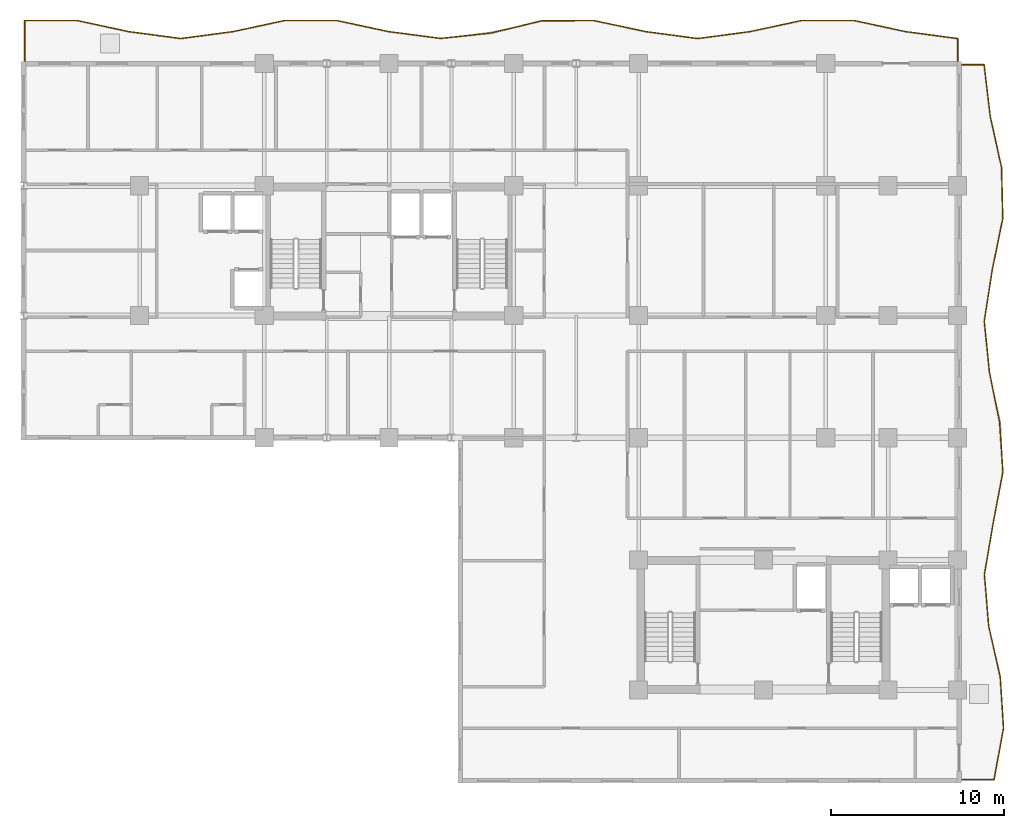
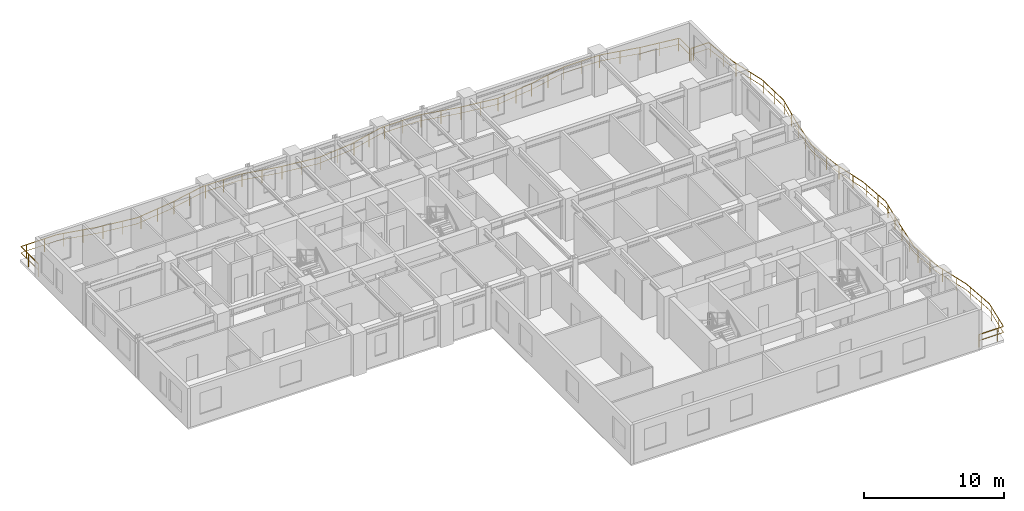
# One storey, part 12 of 12: 2 railings.
"""IFC4 building model written with IfcOpenShell, lengths in metres."""

import ifcopenshell
import ifcopenshell.guid

model = None  # the IFC model being written
_history = None  # IfcOwnerHistory: only IFC2X3 demands one
_inside = {}  # id of a spatial element -> (the spatial element, [elements in it])
_under = {}  # id of a project, library or spatial element -> (it, [spatial elements below it])
_declared = {}  # id of a project -> (the project, [libraries it declares])
_typed = {}  # id of a type object -> (the type object, [elements of that type])
_made_of = {}  # id of a material, layer set ... -> (it, [elements and type objects made of it])


def new_model(schema):
    """Start an empty IFC model of exactly this schema.

    Asked for "IFC4X3", IfcOpenShell would pick the latest addendum, in which some entities
    have other attributes; the version numbers below select the first issue.
    IFC2X3 requires an IfcOwnerHistory on every rooted entity: one is made here for all.
    """
    global model, _history
    if schema == "IFC4X3":
        model = ifcopenshell.file(schema_version=(4, 3, 0, 0))
    else:
        model = ifcopenshell.file(schema=schema)
    _inside.clear()
    _under.clear()
    _declared.clear()
    _typed.clear()
    _made_of.clear()
    _history = None
    if model.schema == "IFC2X3":
        org = make("IfcOrganization", Name="unknown")
        user = make(
            "IfcPersonAndOrganization",
            ThePerson=make("IfcPerson", FamilyName="unknown"),
            TheOrganization=org,
        )
        app = make(
            "IfcApplication",
            ApplicationDeveloper=org,
            Version="unknown",
            ApplicationFullName="unknown",
            ApplicationIdentifier="unknown",
        )
        _history = make(
            "IfcOwnerHistory",
            OwningUser=user,
            OwningApplication=app,
            ChangeAction="ADDED",
            CreationDate=0,
        )
    return model


def make(cls, **values):
    """One entity of the class cls with the attributes given. An attribute that is None is left unset."""
    return model.create_entity(
        cls, **{name: value for name, value in values.items() if value is not None}
    )


def rooted(cls, **values):
    """An entity with a GlobalId (a new one), such as an element, a storey or a relation."""
    return make(cls, GlobalId=ifcopenshell.guid.new(), OwnerHistory=_history, **values)


def si_unit(unit_type, name, prefix=None):
    """IfcSIUnit, for example si_unit("LENGTHUNIT", "METRE", prefix="MILLI")."""
    return make("IfcSIUnit", UnitType=unit_type, Prefix=prefix, Name=name)


def assignment(units):
    """IfcUnitAssignment: the units of a project."""
    return None if units is None else make("IfcUnitAssignment", Units=units)


def point(xyz):
    """IfcCartesianPoint."""
    return None if xyz is None else make("IfcCartesianPoint", Coordinates=xyz)


def direction(xyz):
    """IfcDirection."""
    return None if xyz is None else make("IfcDirection", DirectionRatios=xyz)


def frame(location, z_axis=None, x_axis=None):
    """IfcAxis2Placement3D, a coordinate frame: its origin and axes. An axis left out is left unset."""
    return make(
        "IfcAxis2Placement3D",
        Location=point(location),
        Axis=direction(z_axis),
        RefDirection=direction(x_axis),
    )


def frame_2d(location, x_axis=None):
    """IfcAxis2Placement2D, a coordinate frame in the plane: its origin and x axis."""
    return make(
        "IfcAxis2Placement2D", Location=point(location), RefDirection=direction(x_axis)
    )


def origin():
    """The frame at (0, 0, 0) with its axes left unset."""
    return frame((0.0, 0.0, 0.0))


def origin_2d():
    """The frame at (0, 0) in the plane with its x axis left unset."""
    return frame_2d((0.0, 0.0))


def place(relative_to, where):
    """IfcLocalPlacement: puts the frame where relative to a parent placement (None: the world)."""
    return make(
        "IfcLocalPlacement", PlacementRelTo=relative_to, RelativePlacement=where
    )


def context(
    kind, dimensions, precision=None, world=None, true_north=None, identifier=None
):
    """IfcGeometricRepresentationContext, for example the 3D "Model" context."""
    return make(
        "IfcGeometricRepresentationContext",
        ContextIdentifier=identifier,
        ContextType=kind,
        CoordinateSpaceDimension=dimensions,
        Precision=precision,
        WorldCoordinateSystem=world,
        TrueNorth=true_north,
    )


def subcontext(parent, identifier, kind, view, scale=None):
    """IfcGeometricRepresentationSubContext, for example "Body" below "Model"."""
    return make(
        "IfcGeometricRepresentationSubContext",
        ContextIdentifier=identifier,
        ContextType=kind,
        ParentContext=parent,
        TargetScale=scale,
        TargetView=view,
    )


def project(units=None, contexts=None):
    """IfcProject with its units and contexts."""
    return rooted(
        "IfcProject",
        Name="project",
        RepresentationContexts=contexts,
        UnitsInContext=assignment(units),
    )


def spatial(cls, under=None, at=None, **own):
    """A site, building, storey or space (cls), placed at a placement, below another one or the project."""
    s = rooted(cls, ObjectPlacement=at, **own)
    if under is not None:
        _under.setdefault(under.id(), (under, []))[1].append(s)
    return s


def profile(cls, at=None, kind="AREA", **sizes):
    """A parametric profile (cls). Its sizes go by their IFC names, for example OverallWidth=200.0."""
    return make(cls, ProfileType=kind, Position=at, **sizes)


def rectangle(**sizes):
    """IfcRectangleProfileDef."""
    return profile("IfcRectangleProfileDef", **sizes)


def extrude(swept, where, along, depth):
    """IfcExtrudedAreaSolid: the profile swept, set in the frame where, extruded along a direction by depth."""
    return make(
        "IfcExtrudedAreaSolid",
        SweptArea=swept,
        Position=where,
        ExtrudedDirection=direction(along),
        Depth=depth,
    )


def shape(context_of_items, identifier, shape_type, items):
    """IfcShapeRepresentation: the items that make up one representation, for example the "Body"."""
    return make(
        "IfcShapeRepresentation",
        ContextOfItems=context_of_items,
        RepresentationIdentifier=identifier,
        RepresentationType=shape_type,
        Items=items,
    )


def material(Name=None, Category=None):
    """IfcMaterial."""
    return make("IfcMaterial", Name=Name, Category=Category)


def made_of(thing, what):
    """Note that an element or type object is made of a material, layer set ...; save() writes the relation."""
    if what is not None:
        _made_of.setdefault(what.id(), (what, []))[1].append(thing)
    return thing


def type_object(cls, material=None, **own):
    """A type object (cls), such as IfcWallType, which elements share."""
    return made_of(rooted(cls, **own), material)


def element(
    cls,
    number,
    at=None,
    inside=None,
    cuts=None,
    type_object=None,
    material=None,
    context=None,
    identifier="Body",
    shape_type=None,
    held_by="IfcProductDefinitionShape",
    body=None,
    shapes=None,
    **own,
):
    """One element of the class cls, such as IfcWall. Its Tag is "e" and its number.

    at: its placement. inside: the storey or other place that contains it. cuts: it is an
    opening in that element (IfcRelVoidsElement). A single representation is given by context,
    identifier, shape_type and body (its items); several are given by shapes. held_by: the class
    of the entity that holds the representations. save() writes the other relations.
    """
    e = rooted(cls, Tag="e%d" % number, ObjectPlacement=at, **own)
    if body is not None:
        shapes = [shape(context, identifier, shape_type, body)]
    if shapes is not None:
        e.Representation = make(held_by, Representations=shapes)
    if inside is not None:
        _inside.setdefault(inside.id(), (inside, []))[1].append(e)
    if cuts is not None:
        rooted(
            "IfcRelVoidsElement", RelatingBuildingElement=cuts, RelatedOpeningElement=e
        )
    if type_object is not None:
        _typed.setdefault(type_object.id(), (type_object, []))[1].append(e)
    return made_of(e, material)


def aggregate(whole, parts):
    """IfcRelAggregates: a whole, such as a stair, and the parts it consists of."""
    return rooted("IfcRelAggregates", RelatingObject=whole, RelatedObjects=parts)


def save(model, path):
    """Write the relations noted so far, then the file.

    IfcRelAggregates (storeys below a building ...), IfcRelContainedInSpatialStructure (elements
    in a storey), IfcRelDefinesByType, IfcRelAssociatesMaterial and IfcRelDeclares: one each for
    every whole, place, type object, material and project.
    """
    for whole, parts in _under.values():
        aggregate(whole, parts)
    for where, things in _inside.values():
        rooted(
            "IfcRelContainedInSpatialStructure",
            RelatedElements=things,
            RelatingStructure=where,
        )
    for kind, things in _typed.values():
        rooted("IfcRelDefinesByType", RelatedObjects=things, RelatingType=kind)
    for what, things in _made_of.values():
        rooted("IfcRelAssociatesMaterial", RelatedObjects=things, RelatingMaterial=what)
    for by, libraries in _declared.values():
        rooted("IfcRelDeclares", RelatingContext=by, RelatedDefinitions=libraries)
    model.write(path)


model = new_model("IFC4")

# Units and contexts
model_context = context("Model", 3, precision=1e-05, world=origin(), true_north=direction((0.0, 1.0)))
body_context = subcontext(model_context, "Body", "Model", "MODEL_VIEW")
ifc_project = project(units=[si_unit("LENGTHUNIT", "METRE"), si_unit("AREAUNIT", "SQUARE_METRE"), si_unit("VOLUMEUNIT", "CUBIC_METRE"), si_unit("PLANEANGLEUNIT", "RADIAN"), si_unit("MASSUNIT", "GRAM", prefix="KILO")], contexts=[model_context])

# Site, building, storey
site_placement = place(None, origin())
site = spatial("IfcSite", under=ifc_project, at=site_placement, CompositionType="ELEMENT")
building_placement = place(site_placement, origin())
building = spatial("IfcBuilding", under=site, at=building_placement, Name="Kaliganga Portal Commons", CompositionType="ELEMENT")
storey_placement = place(building_placement, frame((0.0, 0.0, 147.60009765625)))
storey = spatial("IfcBuildingStorey", under=building, at=storey_placement, Name="L37", CompositionType="ELEMENT", Elevation=147.60009765625)

# Railings
ifc_material = material(Name="Laminated Safety Glass and Stainless Steel 316", Category="steel")
railing_type = type_object("IfcRailingType", Name="RLG-BAL-1150", PredefinedType="BALUSTRADE", material=ifc_material)
railing_1_placement = place(storey_placement, frame((54.420166015625, 43.205322265625, 0.0)))
element("IfcRailing", 1, at=railing_1_placement, inside=storey, type_object=railing_type, Name="Balcony Guardrail L37 balc_north", PredefinedType="BALUSTRADE", context=body_context, shape_type="SweptSolid", body=[
    extrude(rectangle(XDim=0.048095703125, YDim=0.048095703125, at=origin_2d()), frame((0.0, 0.0, 1.1259765625), z_axis=(-0.000169692853, 0.999999985602, 0.0), x_axis=(-0.999999985602, -0.000169692853, 0.0)), (0.0, 0.0, 1.0), 1.438720703125),
    extrude(rectangle(XDim=0.028076171875, YDim=0.028076171875, at=origin_2d()), frame((0.0, 0.0, 0.597900390625), z_axis=(-0.000169692853, 0.999999985602, 0.0), x_axis=(-0.999999985602, -0.000169692853, 0.0)), (0.0, 0.0, 1.0), 1.438720703125),
    extrude(rectangle(XDim=0.048095703125, YDim=0.048095703125, at=origin_2d()), frame((-0.000244140625, 1.438720703125, 1.1259765625), z_axis=(-0.99128487682, 0.131735693672, 0.0), x_axis=(-0.131735693672, -0.99128487682, 0.0)), (0.0, 0.0, 1.0), 3.0263671875),
    extrude(rectangle(XDim=0.028076171875, YDim=0.028076171875, at=origin_2d()), frame((-0.000244140625, 1.438720703125, 0.597900390625), z_axis=(-0.99128487682, 0.131735693672, 0.0), x_axis=(-0.131735693672, -0.99128487682, 0.0)), (0.0, 0.0, 1.0), 3.0263671875),
    extrude(rectangle(XDim=0.048095703125, YDim=0.048095703125, at=origin_2d()), frame((-3.000244140625, 1.83740234375, 1.1259765625), z_axis=(-0.977706833375, 0.209974636497, 0.0), x_axis=(-0.209974636497, -0.977706833375, 0.0)), (0.0, 0.0, 1.0), 3.068359375),
    extrude(rectangle(XDim=0.028076171875, YDim=0.028076171875, at=origin_2d()), frame((-3.000244140625, 1.83740234375, 0.597900390625), z_axis=(-0.977706833375, 0.209974636497, 0.0), x_axis=(-0.209974636497, -0.977706833375, 0.0)), (0.0, 0.0, 1.0), 3.068359375),
    extrude(rectangle(XDim=0.048095703125, YDim=0.048095703125, at=origin_2d()), frame((-6.000244140625, 2.481689453125, 1.1259765625), z_axis=(-0.999999986752, -0.000162773661, 0.0), x_axis=(0.000162773661, -0.999999986752, 0.0)), (0.0, 0.0, 1.0), 2.999755859375),
    extrude(rectangle(XDim=0.028076171875, YDim=0.028076171875, at=origin_2d()), frame((-6.000244140625, 2.481689453125, 0.597900390625), z_axis=(-0.999999986752, -0.000162773661, 0.0), x_axis=(0.000162773661, -0.999999986752, 0.0)), (0.0, 0.0, 1.0), 2.999755859375),
    extrude(rectangle(XDim=0.048095703125, YDim=0.048095703125, at=origin_2d()), frame((-9.0, 2.481201171875, 1.1259765625), z_axis=(-0.977742994053, -0.209806190521, 0.0), x_axis=(0.209806190521, -0.977742994053, 0.0)), (0.0, 0.0, 1.0), 3.068603515625),
    extrude(rectangle(XDim=0.028076171875, YDim=0.028076171875, at=origin_2d()), frame((-9.0, 2.481201171875, 0.597900390625), z_axis=(-0.977742994053, -0.209806190521, 0.0), x_axis=(0.209806190521, -0.977742994053, 0.0)), (0.0, 0.0, 1.0), 3.068603515625),
    extrude(rectangle(XDim=0.048095703125, YDim=0.048095703125, at=origin_2d()), frame((-12.000244140625, 1.83740234375, 1.1259765625), z_axis=(-0.991347974495, -0.131260022339, 0.0), x_axis=(0.131260022339, -0.991347974495, 0.0)), (0.0, 0.0, 1.0), 3.026123046875),
    extrude(rectangle(XDim=0.028076171875, YDim=0.028076171875, at=origin_2d()), frame((-12.000244140625, 1.83740234375, 0.597900390625), z_axis=(-0.991347974495, -0.131260022339, 0.0), x_axis=(0.131260022339, -0.991347974495, 0.0)), (0.0, 0.0, 1.0), 3.026123046875),
    extrude(rectangle(XDim=0.048095703125, YDim=0.048095703125, at=origin_2d()), frame((-15.000244140625, 1.440185546875, 1.1259765625), z_axis=(-0.991347974495, 0.131260022339, 0.0), x_axis=(-0.131260022339, -0.991347974495, 0.0)), (0.0, 0.0, 1.0), 3.026123046875),
    extrude(rectangle(XDim=0.028076171875, YDim=0.028076171875, at=origin_2d()), frame((-15.000244140625, 1.440185546875, 0.597900390625), z_axis=(-0.991347974495, 0.131260022339, 0.0), x_axis=(-0.131260022339, -0.991347974495, 0.0)), (0.0, 0.0, 1.0), 3.026123046875),
    extrude(rectangle(XDim=0.048095703125, YDim=0.048095703125, at=origin_2d()), frame((-18.000244140625, 1.83740234375, 1.1259765625), z_axis=(-0.978106618555, 0.208104403459, 0.0), x_axis=(-0.208104403459, -0.978106618555, 0.0)), (0.0, 0.0, 1.0), 3.066650390625),
    extrude(rectangle(XDim=0.028076171875, YDim=0.028076171875, at=origin_2d()), frame((-18.000244140625, 1.83740234375, 0.597900390625), z_axis=(-0.978106618555, 0.208104403459, 0.0), x_axis=(-0.208104403459, -0.978106618555, 0.0)), (0.0, 0.0, 1.0), 3.066650390625),
    extrude(rectangle(XDim=0.048095703125, YDim=0.048095703125, at=origin_2d()), frame((-20.999755859375, 2.4755859375, 1.1259765625), z_axis=(-0.999996168338, -0.002768268175, 0.0), x_axis=(0.002768268175, -0.999996168338, 0.0)), (0.0, 0.0, 1.0), 2.99853515625),
    extrude(rectangle(XDim=0.028076171875, YDim=0.028076171875, at=origin_2d()), frame((-20.999755859375, 2.4755859375, 0.597900390625), z_axis=(-0.999996168338, -0.002768268175, 0.0), x_axis=(0.002768268175, -0.999996168338, 0.0)), (0.0, 0.0, 1.0), 2.99853515625),
    extrude(rectangle(XDim=0.048095703125, YDim=0.048095703125, at=origin_2d()), frame((-23.998291015625, 2.46728515625, 1.1259765625), z_axis=(-0.971726032894, -0.236111238608, 0.0), x_axis=(0.236111238608, -0.971726032894, 0.0)), (0.0, 0.0, 1.0), 3.0068359375),
    extrude(rectangle(XDim=0.028076171875, YDim=0.028076171875, at=origin_2d()), frame((-23.998291015625, 2.46728515625, 0.597900390625), z_axis=(-0.971726032894, -0.236111238608, 0.0), x_axis=(0.236111238608, -0.971726032894, 0.0)), (0.0, 0.0, 1.0), 3.0068359375),
    extrude(rectangle(XDim=0.048095703125, YDim=0.048095703125, at=origin_2d()), frame((-26.920166015625, 1.75732421875, 1.1259765625), z_axis=(-0.994438293084, -0.105320849063, 0.0), x_axis=(0.105320849063, -0.994438293084, 0.0)), (0.0, 0.0, 1.0), 2.93701171875),
    extrude(rectangle(XDim=0.028076171875, YDim=0.028076171875, at=origin_2d()), frame((-26.920166015625, 1.75732421875, 0.597900390625), z_axis=(-0.994438293084, -0.105320849063, 0.0), x_axis=(0.105320849063, -0.994438293084, 0.0)), (0.0, 0.0, 1.0), 2.93701171875),
    extrude(rectangle(XDim=0.048095703125, YDim=0.048095703125, at=origin_2d()), frame((-29.8408203125, 1.447998046875, 1.1259765625), z_axis=(-0.991687062692, 0.128673111757, 0.0), x_axis=(-0.128673111757, -0.991687062692, 0.0)), (0.0, 0.0, 1.0), 3.0244140625),
    extrude(rectangle(XDim=0.028076171875, YDim=0.028076171875, at=origin_2d()), frame((-29.8408203125, 1.447998046875, 0.597900390625), z_axis=(-0.991687062692, 0.128673111757, 0.0), x_axis=(-0.128673111757, -0.991687062692, 0.0)), (0.0, 0.0, 1.0), 3.0244140625),
    extrude(rectangle(XDim=0.048095703125, YDim=0.048095703125, at=origin_2d()), frame((-32.840087890625, 1.837158203125, 1.1259765625), z_axis=(-0.977922201683, 0.208969297878, 0.0), x_axis=(-0.208969297878, -0.977922201683, 0.0)), (0.0, 0.0, 1.0), 3.06787109375),
    extrude(rectangle(XDim=0.028076171875, YDim=0.028076171875, at=origin_2d()), frame((-32.840087890625, 1.837158203125, 0.597900390625), z_axis=(-0.977922201683, 0.208969297878, 0.0), x_axis=(-0.208969297878, -0.977922201683, 0.0)), (0.0, 0.0, 1.0), 3.06787109375),
    extrude(rectangle(XDim=0.048095703125, YDim=0.048095703125, at=origin_2d()), frame((-35.84033203125, 2.478271484375, 1.1259765625), z_axis=(-0.999999837743, 0.000569661366, 0.0), x_axis=(-0.000569661366, -0.999999837743, 0.0)), (0.0, 0.0, 1.0), 3.0),
    extrude(rectangle(XDim=0.028076171875, YDim=0.028076171875, at=origin_2d()), frame((-35.84033203125, 2.478271484375, 0.597900390625), z_axis=(-0.999999837743, 0.000569661366, 0.0), x_axis=(-0.000569661366, -0.999999837743, 0.0)), (0.0, 0.0, 1.0), 3.0),
    extrude(rectangle(XDim=0.048095703125, YDim=0.048095703125, at=origin_2d()), frame((-38.84033203125, 2.47998046875, 1.1259765625), z_axis=(-0.977817551415, -0.209458435364, 0.0), x_axis=(0.209458435364, -0.977817551415, 0.0)), (0.0, 0.0, 1.0), 3.06787109375),
    extrude(rectangle(XDim=0.028076171875, YDim=0.028076171875, at=origin_2d()), frame((-38.84033203125, 2.47998046875, 0.597900390625), z_axis=(-0.977817551415, -0.209458435364, 0.0), x_axis=(0.209458435364, -0.977817551415, 0.0)), (0.0, 0.0, 1.0), 3.06787109375),
    extrude(rectangle(XDim=0.048095703125, YDim=0.048095703125, at=origin_2d()), frame((-41.840087890625, 1.83740234375, 1.1259765625), z_axis=(-0.991316453184, -0.13149786936, 0.0), x_axis=(0.13149786936, -0.991316453184, 0.0)), (0.0, 0.0, 1.0), 3.0263671875),
    extrude(rectangle(XDim=0.028076171875, YDim=0.028076171875, at=origin_2d()), frame((-41.840087890625, 1.83740234375, 0.597900390625), z_axis=(-0.991316453184, -0.13149786936, 0.0), x_axis=(0.13149786936, -0.991316453184, 0.0)), (0.0, 0.0, 1.0), 3.0263671875),
    extrude(rectangle(XDim=0.048095703125, YDim=0.048095703125, at=origin_2d()), frame((-44.840087890625, 1.439453125, 1.1259765625), z_axis=(-0.991316453184, 0.13149786936, 0.0), x_axis=(-0.13149786936, -0.991316453184, 0.0)), (0.0, 0.0, 1.0), 3.0263671875),
    extrude(rectangle(XDim=0.028076171875, YDim=0.028076171875, at=origin_2d()), frame((-44.840087890625, 1.439453125, 0.597900390625), z_axis=(-0.991316453184, 0.13149786936, 0.0), x_axis=(-0.13149786936, -0.991316453184, 0.0)), (0.0, 0.0, 1.0), 3.0263671875),
    extrude(rectangle(XDim=0.048095703125, YDim=0.048095703125, at=origin_2d()), frame((-47.840087890625, 1.83740234375, 1.1259765625), z_axis=(-0.977690496299, 0.210050692564, 0.0), x_axis=(-0.210050692564, -0.977690496299, 0.0)), (0.0, 0.0, 1.0), 3.068359375),
    extrude(rectangle(XDim=0.028076171875, YDim=0.028076171875, at=origin_2d()), frame((-47.840087890625, 1.83740234375, 0.597900390625), z_axis=(-0.977690496299, 0.210050692564, 0.0), x_axis=(-0.210050692564, -0.977690496299, 0.0)), (0.0, 0.0, 1.0), 3.068359375),
    extrude(rectangle(XDim=0.048095703125, YDim=0.048095703125, at=origin_2d()), frame((-50.840087890625, 2.48193359375, 1.1259765625), z_axis=(-0.999999996689, 8.1380208e-05, 0.0), x_axis=(-8.1380208e-05, -0.999999996689, 0.0)), (0.0, 0.0, 1.0), 3.0),
    extrude(rectangle(XDim=0.028076171875, YDim=0.028076171875, at=origin_2d()), frame((-50.840087890625, 2.48193359375, 0.597900390625), z_axis=(-0.999999996689, 8.1380208e-05, 0.0), x_axis=(-8.1380208e-05, -0.999999996689, 0.0)), (0.0, 0.0, 1.0), 3.0),
    extrude(rectangle(XDim=0.048095703125, YDim=0.048095703125, at=origin_2d()), frame((-53.840087890625, 2.482177734375, 1.1259765625), z_axis=(-9.835743e-05, -0.999999995163, 0.0), x_axis=(0.999999995163, -9.835743e-05, 0.0)), (0.0, 0.0, 1.0), 2.482177734375),
    extrude(rectangle(XDim=0.028076171875, YDim=0.028076171875, at=origin_2d()), frame((-53.840087890625, 2.482177734375, 0.597900390625), z_axis=(-9.835743e-05, -0.999999995163, 0.0), x_axis=(0.999999995163, -9.835743e-05, 0.0)), (0.0, 0.0, 1.0), 2.482177734375),
    extrude(rectangle(XDim=0.0419921875, YDim=0.0419921875, at=origin_2d()), origin(), (0.0, 0.0, 1.0), 1.101806640625),
    extrude(rectangle(XDim=0.0419921875, YDim=0.0419921875, at=origin_2d()), frame((-0.06103515625, 1.44677734375, 0.0)), (0.0, 0.0, 1.0), 1.101806640625),
    extrude(rectangle(XDim=0.0419921875, YDim=0.0419921875, at=origin_2d()), frame((-1.5478515625, 1.644287109375, 0.0)), (0.0, 0.0, 1.0), 1.101806640625),
    extrude(rectangle(XDim=0.0419921875, YDim=0.0419921875, at=origin_2d()), frame((-3.034423828125, 1.8447265625, 0.0)), (0.0, 0.0, 1.0), 1.101806640625),
    extrude(rectangle(XDim=0.0419921875, YDim=0.0419921875, at=origin_2d()), frame((-4.5009765625, 2.15966796875, 0.0)), (0.0, 0.0, 1.0), 1.101806640625),
    extrude(rectangle(XDim=0.0419921875, YDim=0.0419921875, at=origin_2d()), frame((-6.000244140625, 2.481689453125, 0.0)), (0.0, 0.0, 1.0), 1.101806640625),
    extrude(rectangle(XDim=0.0419921875, YDim=0.0419921875, at=origin_2d()), frame((-7.466796875, 2.4814453125, 0.0)), (0.0, 0.0, 1.0), 1.101806640625),
    extrude(rectangle(XDim=0.0419921875, YDim=0.0419921875, at=origin_2d()), frame((-9.0, 2.481201171875, 0.0)), (0.0, 0.0, 1.0), 1.101806640625),
    extrude(rectangle(XDim=0.0419921875, YDim=0.0419921875, at=origin_2d()), frame((-10.43408203125, 2.173583984375, 0.0)), (0.0, 0.0, 1.0), 1.101806640625),
    extrude(rectangle(XDim=0.0419921875, YDim=0.0419921875, at=origin_2d()), frame((-12.000244140625, 1.83740234375, 0.0)), (0.0, 0.0, 1.0), 1.101806640625),
    extrude(rectangle(XDim=0.0419921875, YDim=0.0419921875, at=origin_2d()), frame((-13.38623046875, 1.65380859375, 0.0)), (0.0, 0.0, 1.0), 1.101806640625),
    extrude(rectangle(XDim=0.0419921875, YDim=0.0419921875, at=origin_2d()), frame((-15.000244140625, 1.440185546875, 0.0)), (0.0, 0.0, 1.0), 1.101806640625),
    extrude(rectangle(XDim=0.0419921875, YDim=0.0419921875, at=origin_2d()), frame((-16.3603515625, 1.620361328125, 0.0)), (0.0, 0.0, 1.0), 1.101806640625),
    extrude(rectangle(XDim=0.0419921875, YDim=0.0419921875, at=origin_2d()), frame((-17.847412109375, 1.817138671875, 0.0)), (0.0, 0.0, 1.0), 1.101806640625),
    extrude(rectangle(XDim=0.0419921875, YDim=0.0419921875, at=origin_2d()), frame((-19.316650390625, 2.117431640625, 0.0)), (0.0, 0.0, 1.0), 1.101806640625),
    extrude(rectangle(XDim=0.0419921875, YDim=0.0419921875, at=origin_2d()), frame((-20.78369140625, 2.4296875, 0.0)), (0.0, 0.0, 1.0), 1.101806640625),
    extrude(rectangle(XDim=0.0419921875, YDim=0.0419921875, at=origin_2d()), frame((-22.279052734375, 2.471923828125, 0.0)), (0.0, 0.0, 1.0), 1.101806640625),
    extrude(rectangle(XDim=0.0419921875, YDim=0.0419921875, at=origin_2d()), frame((-23.779052734375, 2.4677734375, 0.0)), (0.0, 0.0, 1.0), 1.101806640625),
    extrude(rectangle(XDim=0.0419921875, YDim=0.0419921875, at=origin_2d()), frame((-25.24267578125, 2.164794921875, 0.0)), (0.0, 0.0, 1.0), 1.101806640625),
    extrude(rectangle(XDim=0.0419921875, YDim=0.0419921875, at=origin_2d()), frame((-26.7001953125, 1.810791015625, 0.0)), (0.0, 0.0, 1.0), 1.101806640625),
    extrude(rectangle(XDim=0.0419921875, YDim=0.0419921875, at=origin_2d()), frame((-28.186767578125, 1.623291015625, 0.0)), (0.0, 0.0, 1.0), 1.101806640625),
    extrude(rectangle(XDim=0.0419921875, YDim=0.0419921875, at=origin_2d()), frame((-29.678466796875, 1.465087890625, 0.0)), (0.0, 0.0, 1.0), 1.101806640625),
    extrude(rectangle(XDim=0.0419921875, YDim=0.0419921875, at=origin_2d()), frame((-31.16650390625, 1.6201171875, 0.0)), (0.0, 0.0, 1.0), 1.101806640625),
    extrude(rectangle(XDim=0.0419921875, YDim=0.0419921875, at=origin_2d()), frame((-32.654052734375, 1.81298828125, 0.0)), (0.0, 0.0, 1.0), 1.101806640625),
    extrude(rectangle(XDim=0.0419921875, YDim=0.0419921875, at=origin_2d()), frame((-34.12353515625, 2.111328125, 0.0)), (0.0, 0.0, 1.0), 1.101806640625),
    extrude(rectangle(XDim=0.0419921875, YDim=0.0419921875, at=origin_2d()), frame((-35.59033203125, 2.4248046875, 0.0)), (0.0, 0.0, 1.0), 1.101806640625),
    extrude(rectangle(XDim=0.0419921875, YDim=0.0419921875, at=origin_2d()), frame((-37.084716796875, 2.47900390625, 0.0)), (0.0, 0.0, 1.0), 1.101806640625),
    extrude(rectangle(XDim=0.0419921875, YDim=0.0419921875, at=origin_2d()), frame((-38.584716796875, 2.479736328125, 0.0)), (0.0, 0.0, 1.0), 1.101806640625),
    extrude(rectangle(XDim=0.0419921875, YDim=0.0419921875, at=origin_2d()), frame((-40.05712890625, 2.21923828125, 0.0)), (0.0, 0.0, 1.0), 1.101806640625),
    extrude(rectangle(XDim=0.0419921875, YDim=0.0419921875, at=origin_2d()), frame((-41.52392578125, 1.905029296875, 0.0)), (0.0, 0.0, 1.0), 1.101806640625),
    extrude(rectangle(XDim=0.0419921875, YDim=0.0419921875, at=origin_2d()), frame((-43.00634765625, 1.6826171875, 0.0)), (0.0, 0.0, 1.0), 1.101806640625),
    extrude(rectangle(XDim=0.0419921875, YDim=0.0419921875, at=origin_2d()), frame((-44.493408203125, 1.4853515625, 0.0)), (0.0, 0.0, 1.0), 1.101806640625),
    extrude(rectangle(XDim=0.0419921875, YDim=0.0419921875, at=origin_2d()), frame((-45.98046875, 1.5908203125, 0.0)), (0.0, 0.0, 1.0), 1.101806640625),
    extrude(rectangle(XDim=0.0419921875, YDim=0.0419921875, at=origin_2d()), frame((-47.46728515625, 1.787841796875, 0.0)), (0.0, 0.0, 1.0), 1.101806640625),
    extrude(rectangle(XDim=0.0419921875, YDim=0.0419921875, at=origin_2d()), frame((-48.93896484375, 2.073486328125, 0.0)), (0.0, 0.0, 1.0), 1.101806640625),
    extrude(rectangle(XDim=0.0419921875, YDim=0.0419921875, at=origin_2d()), frame((-50.405517578125, 2.388671875, 0.0)), (0.0, 0.0, 1.0), 1.101806640625),
    extrude(rectangle(XDim=0.0419921875, YDim=0.0419921875, at=origin_2d()), frame((-51.895751953125, 2.48193359375, 0.0)), (0.0, 0.0, 1.0), 1.101806640625),
    extrude(rectangle(XDim=0.0419921875, YDim=0.0419921875, at=origin_2d()), frame((-53.395751953125, 2.482177734375, 0.0)), (0.0, 0.0, 1.0), 1.101806640625),
    extrude(rectangle(XDim=0.0419921875, YDim=0.0419921875, at=origin_2d()), frame((-53.840087890625, 1.426513671875, 0.0)), (0.0, 0.0, 1.0), 1.101806640625),
    extrude(rectangle(XDim=0.0419921875, YDim=0.0419921875, at=origin_2d()), frame((-53.84033203125, 0.0, 0.0)), (0.0, 0.0, 1.0), 1.101806640625),
])
railing_2_placement = place(storey_placement, frame((54.5068359375, 1.879638671875, 0.0)))
element("IfcRailing", 2, at=railing_2_placement, inside=storey, type_object=railing_type, Name="Balcony Guardrail L37 balc_east", PredefinedType="BALUSTRADE", context=body_context, shape_type="SweptSolid", body=[
    extrude(rectangle(XDim=0.048095703125, YDim=0.048095703125, at=origin_2d()), frame((0.0, 0.0, 1.1259765625), z_axis=(0.99999999265, 0.000121241512, 0.0), x_axis=(-0.000121241512, 0.99999999265, 0.0)), (0.0, 0.0, 1.0), 2.013671875),
    extrude(rectangle(XDim=0.028076171875, YDim=0.028076171875, at=origin_2d()), frame((0.0, 0.0, 0.597900390625), z_axis=(0.99999999265, 0.000121241512, 0.0), x_axis=(-0.000121241512, 0.99999999265, 0.0)), (0.0, 0.0, 1.0), 2.013671875),
    extrude(rectangle(XDim=0.048095703125, YDim=0.048095703125, at=origin_2d()), frame((2.013671875, 0.000244140625, 1.1259765625), z_axis=(0.181071495667, 0.983469935208, 0.0), x_axis=(-0.983469935208, 0.181071495667, 0.0)), (0.0, 0.0, 1.0), 3.0068359375),
    extrude(rectangle(XDim=0.028076171875, YDim=0.028076171875, at=origin_2d()), frame((2.013671875, 0.000244140625, 0.597900390625), z_axis=(0.181071495667, 0.983469935208, 0.0), x_axis=(-0.983469935208, 0.181071495667, 0.0)), (0.0, 0.0, 1.0), 3.0068359375),
    extrude(rectangle(XDim=0.048095703125, YDim=0.048095703125, at=origin_2d()), frame((2.55810546875, 2.957275390625, 1.1259765625), z_axis=(-0.064096442294, 0.997943708876, 0.0), x_axis=(-0.997943708876, -0.064096442294, 0.0)), (0.0, 0.0, 1.0), 2.96337890625),
    extrude(rectangle(XDim=0.028076171875, YDim=0.028076171875, at=origin_2d()), frame((2.55810546875, 2.957275390625, 0.597900390625), z_axis=(-0.064096442294, 0.997943708876, 0.0), x_axis=(-0.997943708876, -0.064096442294, 0.0)), (0.0, 0.0, 1.0), 2.96337890625),
    extrude(rectangle(XDim=0.048095703125, YDim=0.048095703125, at=origin_2d()), frame((2.3681640625, 5.91455078125, 1.1259765625), z_axis=(-0.220092788407, 0.97547894108, 0.0), x_axis=(-0.97547894108, -0.220092788407, 0.0)), (0.0, 0.0, 1.0), 3.031494140625),
    extrude(rectangle(XDim=0.028076171875, YDim=0.028076171875, at=origin_2d()), frame((2.3681640625, 5.91455078125, 0.597900390625), z_axis=(-0.220092788407, 0.97547894108, 0.0), x_axis=(-0.97547894108, -0.220092788407, 0.0)), (0.0, 0.0, 1.0), 3.031494140625),
    extrude(rectangle(XDim=0.048095703125, YDim=0.048095703125, at=origin_2d()), frame((1.700927734375, 8.871826171875, 1.1259765625), z_axis=(-0.082527948874, 0.996588750516, 0.0), x_axis=(-0.996588750516, -0.082527948874, 0.0)), (0.0, 0.0, 1.0), 2.967041015625),
    extrude(rectangle(XDim=0.028076171875, YDim=0.028076171875, at=origin_2d()), frame((1.700927734375, 8.871826171875, 0.597900390625), z_axis=(-0.082527948874, 0.996588750516, 0.0), x_axis=(-0.996588750516, -0.082527948874, 0.0)), (0.0, 0.0, 1.0), 2.967041015625),
    extrude(rectangle(XDim=0.048095703125, YDim=0.048095703125, at=origin_2d()), frame((1.4560546875, 11.828857421875, 1.1259765625), z_axis=(0.168132523146, 0.985764401194, 0.0), x_axis=(-0.985764401194, 0.168132523146, 0.0)), (0.0, 0.0, 1.0), 3.0),
    extrude(rectangle(XDim=0.028076171875, YDim=0.028076171875, at=origin_2d()), frame((1.4560546875, 11.828857421875, 0.597900390625), z_axis=(0.168132523146, 0.985764401194, 0.0), x_axis=(-0.985764401194, 0.168132523146, 0.0)), (0.0, 0.0, 1.0), 3.0),
    extrude(rectangle(XDim=0.048095703125, YDim=0.048095703125, at=origin_2d()), frame((1.96044921875, 14.7861328125, 1.1259765625), z_axis=(0.186865911228, 0.982385429056, 0.0), x_axis=(-0.982385429056, 0.186865911228, 0.0)), (0.0, 0.0, 1.0), 3.007568359375),
    extrude(rectangle(XDim=0.028076171875, YDim=0.028076171875, at=origin_2d()), frame((1.96044921875, 14.7861328125, 0.597900390625), z_axis=(0.186865911228, 0.982385429056, 0.0), x_axis=(-0.982385429056, 0.186865911228, 0.0)), (0.0, 0.0, 1.0), 3.007568359375),
    extrude(rectangle(XDim=0.048095703125, YDim=0.048095703125, at=origin_2d()), frame((2.5224609375, 17.74072265625, 1.1259765625), z_axis=(-0.066490937245, 0.997787029012, 0.0), x_axis=(-0.997787029012, -0.066490937245, 0.0)), (0.0, 0.0, 1.0), 2.885986328125),
    extrude(rectangle(XDim=0.028076171875, YDim=0.028076171875, at=origin_2d()), frame((2.5224609375, 17.74072265625, 0.597900390625), z_axis=(-0.066490937245, 0.997787029012, 0.0), x_axis=(-0.997787029012, -0.066490937245, 0.0)), (0.0, 0.0, 1.0), 2.885986328125),
    extrude(rectangle(XDim=0.048095703125, YDim=0.048095703125, at=origin_2d()), frame((2.33056640625, 20.620361328125, 1.1259765625), z_axis=(-0.199073650247, 0.979984531397, 0.0), x_axis=(-0.979984531397, -0.199073650247, 0.0)), (0.0, 0.0, 1.0), 2.93603515625),
    extrude(rectangle(XDim=0.028076171875, YDim=0.028076171875, at=origin_2d()), frame((2.33056640625, 20.620361328125, 0.597900390625), z_axis=(-0.199073650247, 0.979984531397, 0.0), x_axis=(-0.979984531397, -0.199073650247, 0.0)), (0.0, 0.0, 1.0), 2.93603515625),
    extrude(rectangle(XDim=0.048095703125, YDim=0.048095703125, at=origin_2d()), frame((1.74609375, 23.49755859375, 1.1259765625), z_axis=(-0.100536485393, 0.994933372194, 0.0), x_axis=(-0.994933372194, -0.100536485393, 0.0)), (0.0, 0.0, 1.0), 2.972412109375),
    extrude(rectangle(XDim=0.028076171875, YDim=0.028076171875, at=origin_2d()), frame((1.74609375, 23.49755859375, 0.597900390625), z_axis=(-0.100536485393, 0.994933372194, 0.0), x_axis=(-0.994933372194, -0.100536485393, 0.0)), (0.0, 0.0, 1.0), 2.972412109375),
    extrude(rectangle(XDim=0.048095703125, YDim=0.048095703125, at=origin_2d()), frame((1.447265625, 26.454833984375, 1.1259765625), z_axis=(0.154655563067, 0.9879684493, 0.0), x_axis=(-0.9879684493, 0.154655563067, 0.0)), (0.0, 0.0, 1.0), 2.9931640625),
    extrude(rectangle(XDim=0.028076171875, YDim=0.028076171875, at=origin_2d()), frame((1.447265625, 26.454833984375, 0.597900390625), z_axis=(0.154655563067, 0.9879684493, 0.0), x_axis=(-0.9879684493, 0.154655563067, 0.0)), (0.0, 0.0, 1.0), 2.9931640625),
    extrude(rectangle(XDim=0.048095703125, YDim=0.048095703125, at=origin_2d()), frame((1.91015625, 29.411865234375, 1.1259765625), z_axis=(0.200112143966, 0.979772999137, 0.0), x_axis=(-0.979772999137, 0.200112143966, 0.0)), (0.0, 0.0, 1.0), 3.018310546875),
    extrude(rectangle(XDim=0.028076171875, YDim=0.028076171875, at=origin_2d()), frame((1.91015625, 29.411865234375, 0.597900390625), z_axis=(0.200112143966, 0.979772999137, 0.0), x_axis=(-0.979772999137, 0.200112143966, 0.0)), (0.0, 0.0, 1.0), 3.018310546875),
    extrude(rectangle(XDim=0.048095703125, YDim=0.048095703125, at=origin_2d()), frame((2.51416015625, 32.369140625, 1.1259765625), z_axis=(-0.023936336741, 0.999713484846, 0.0), x_axis=(-0.999713484846, -0.023936336741, 0.0)), (0.0, 0.0, 1.0), 2.957763671875),
    extrude(rectangle(XDim=0.028076171875, YDim=0.028076171875, at=origin_2d()), frame((2.51416015625, 32.369140625, 0.597900390625), z_axis=(-0.023936336741, 0.999713484846, 0.0), x_axis=(-0.999713484846, -0.023936336741, 0.0)), (0.0, 0.0, 1.0), 2.957763671875),
    extrude(rectangle(XDim=0.048095703125, YDim=0.048095703125, at=origin_2d()), frame((2.443359375, 35.326171875, 1.1259765625), z_axis=(-0.215120184134, 0.976587582544, 0.0), x_axis=(-0.976587582544, -0.215120184134, 0.0)), (0.0, 0.0, 1.0), 3.02783203125),
    extrude(rectangle(XDim=0.028076171875, YDim=0.028076171875, at=origin_2d()), frame((2.443359375, 35.326171875, 0.597900390625), z_axis=(-0.215120184134, 0.976587582544, 0.0), x_axis=(-0.976587582544, -0.215120184134, 0.0)), (0.0, 0.0, 1.0), 3.02783203125),
    extrude(rectangle(XDim=0.048095703125, YDim=0.048095703125, at=origin_2d()), frame((1.7919921875, 38.283203125, 1.1259765625), z_axis=(-0.118695912213, 0.992930652374, 0.0), x_axis=(-0.992930652374, -0.118695912213, 0.0)), (0.0, 0.0, 1.0), 2.978271484375),
    extrude(rectangle(XDim=0.028076171875, YDim=0.028076171875, at=origin_2d()), frame((1.7919921875, 38.283203125, 0.597900390625), z_axis=(-0.118695912213, 0.992930652374, 0.0), x_axis=(-0.992930652374, -0.118695912213, 0.0)), (0.0, 0.0, 1.0), 2.978271484375),
    extrude(rectangle(XDim=0.048095703125, YDim=0.048095703125, at=origin_2d()), frame((1.4384765625, 41.240478515625, 1.1259765625), z_axis=(-0.999999985597, 0.000169721654, 0.0), x_axis=(-0.000169721654, -0.999999985597, 0.0)), (0.0, 0.0, 1.0), 1.4384765625),
    extrude(rectangle(XDim=0.028076171875, YDim=0.028076171875, at=origin_2d()), frame((1.4384765625, 41.240478515625, 0.597900390625), z_axis=(-0.999999985597, 0.000169721654, 0.0), x_axis=(-0.000169721654, -0.999999985597, 0.0)), (0.0, 0.0, 1.0), 1.4384765625),
    extrude(rectangle(XDim=0.0419921875, YDim=0.0419921875, at=origin_2d()), origin(), (0.0, 0.0, 1.0), 1.101806640625),
    extrude(rectangle(XDim=0.0419921875, YDim=0.0419921875, at=origin_2d()), frame((1.5, 0.000244140625, 0.0)), (0.0, 0.0, 1.0), 1.101806640625),
    extrude(rectangle(XDim=0.0419921875, YDim=0.0419921875, at=origin_2d()), frame((2.1923828125, 0.97021484375, 0.0)), (0.0, 0.0, 1.0), 1.101806640625),
    extrude(rectangle(XDim=0.0419921875, YDim=0.0419921875, at=origin_2d()), frame((2.4638671875, 2.445556640625, 0.0)), (0.0, 0.0, 1.0), 1.101806640625),
    extrude(rectangle(XDim=0.0419921875, YDim=0.0419921875, at=origin_2d()), frame((2.495361328125, 3.934814453125, 0.0)), (0.0, 0.0, 1.0), 1.101806640625),
    extrude(rectangle(XDim=0.0419921875, YDim=0.0419921875, at=origin_2d()), frame((2.399169921875, 5.431884765625, 0.0)), (0.0, 0.0, 1.0), 1.101806640625),
    extrude(rectangle(XDim=0.0419921875, YDim=0.0419921875, at=origin_2d()), frame((2.14453125, 6.90576171875, 0.0)), (0.0, 0.0, 1.0), 1.101806640625),
    extrude(rectangle(XDim=0.0419921875, YDim=0.0419921875, at=origin_2d()), frame((1.814453125, 8.369140625, 0.0)), (0.0, 0.0, 1.0), 1.101806640625),
    extrude(rectangle(XDim=0.0419921875, YDim=0.0419921875, at=origin_2d()), frame((1.61962890625, 9.85302734375, 0.0)), (0.0, 0.0, 1.0), 1.101806640625),
    extrude(rectangle(XDim=0.0419921875, YDim=0.0419921875, at=origin_2d()), frame((1.495849609375, 11.347900390625, 0.0)), (0.0, 0.0, 1.0), 1.101806640625),
    extrude(rectangle(XDim=0.0419921875, YDim=0.0419921875, at=origin_2d()), frame((1.627197265625, 12.831787109375, 0.0)), (0.0, 0.0, 1.0), 1.101806640625),
    extrude(rectangle(XDim=0.0419921875, YDim=0.0419921875, at=origin_2d()), frame((1.87939453125, 14.310546875, 0.0)), (0.0, 0.0, 1.0), 1.101806640625),
    extrude(rectangle(XDim=0.0419921875, YDim=0.0419921875, at=origin_2d()), frame((2.150634765625, 15.78564453125, 0.0)), (0.0, 0.0, 1.0), 1.101806640625),
    extrude(rectangle(XDim=0.0419921875, YDim=0.0419921875, at=origin_2d()), frame((2.430908203125, 17.25927734375, 0.0)), (0.0, 0.0, 1.0), 1.101806640625),
    extrude(rectangle(XDim=0.0419921875, YDim=0.0419921875, at=origin_2d()), frame((2.455322265625, 18.748291015625, 0.0)), (0.0, 0.0, 1.0), 1.101806640625),
    extrude(rectangle(XDim=0.0419921875, YDim=0.0419921875, at=origin_2d()), frame((2.35546875, 20.2451171875, 0.0)), (0.0, 0.0, 1.0), 1.101806640625),
    extrude(rectangle(XDim=0.0419921875, YDim=0.0419921875, at=origin_2d()), frame((2.10693359375, 21.7216796875, 0.0)), (0.0, 0.0, 1.0), 1.101806640625),
    extrude(rectangle(XDim=0.0419921875, YDim=0.0419921875, at=origin_2d()), frame((1.80810546875, 23.191650390625, 0.0)), (0.0, 0.0, 1.0), 1.101806640625),
    extrude(rectangle(XDim=0.0419921875, YDim=0.0419921875, at=origin_2d()), frame((1.626708984375, 24.679443359375, 0.0)), (0.0, 0.0, 1.0), 1.101806640625),
    extrude(rectangle(XDim=0.0419921875, YDim=0.0419921875, at=origin_2d()), frame((1.475830078125, 26.171875, 0.0)), (0.0, 0.0, 1.0), 1.101806640625),
    extrude(rectangle(XDim=0.0419921875, YDim=0.0419921875, at=origin_2d()), frame((1.63525390625, 27.65576171875, 0.0)), (0.0, 0.0, 1.0), 1.101806640625),
    extrude(rectangle(XDim=0.0419921875, YDim=0.0419921875, at=origin_2d()), frame((1.8671875, 29.1376953125, 0.0)), (0.0, 0.0, 1.0), 1.101806640625),
    extrude(rectangle(XDim=0.0419921875, YDim=0.0419921875, at=origin_2d()), frame((2.15478515625, 30.609619140625, 0.0)), (0.0, 0.0, 1.0), 1.101806640625),
    extrude(rectangle(XDim=0.0419921875, YDim=0.0419921875, at=origin_2d()), frame((2.455078125, 32.079345703125, 0.0)), (0.0, 0.0, 1.0), 1.101806640625),
    extrude(rectangle(XDim=0.0419921875, YDim=0.0419921875, at=origin_2d()), frame((2.4853515625, 33.572998046875, 0.0)), (0.0, 0.0, 1.0), 1.101806640625),
    extrude(rectangle(XDim=0.0419921875, YDim=0.0419921875, at=origin_2d()), frame((2.449462890625, 35.072509765625, 0.0)), (0.0, 0.0, 1.0), 1.101806640625),
    extrude(rectangle(XDim=0.0419921875, YDim=0.0419921875, at=origin_2d()), frame((2.17529296875, 36.543212890625, 0.0)), (0.0, 0.0, 1.0), 1.101806640625),
    extrude(rectangle(XDim=0.0419921875, YDim=0.0419921875, at=origin_2d()), frame((1.8525390625, 38.00830078125, 0.0)), (0.0, 0.0, 1.0), 1.101806640625),
    extrude(rectangle(XDim=0.0419921875, YDim=0.0419921875, at=origin_2d()), frame((1.6474609375, 39.492919921875, 0.0)), (0.0, 0.0, 1.0), 1.101806640625),
    extrude(rectangle(XDim=0.0419921875, YDim=0.0419921875, at=origin_2d()), frame((1.46923828125, 40.982421875, 0.0)), (0.0, 0.0, 1.0), 1.101806640625),
    extrude(rectangle(XDim=0.0419921875, YDim=0.0419921875, at=origin_2d()), frame((0.198486328125, 41.24072265625, 0.0)), (0.0, 0.0, 1.0), 1.101806640625),
    extrude(rectangle(XDim=0.0419921875, YDim=0.0419921875, at=origin_2d()), frame((0.0, 41.24072265625, 0.0)), (0.0, 0.0, 1.0), 1.101806640625),
])

save(model, "model.ifc")
